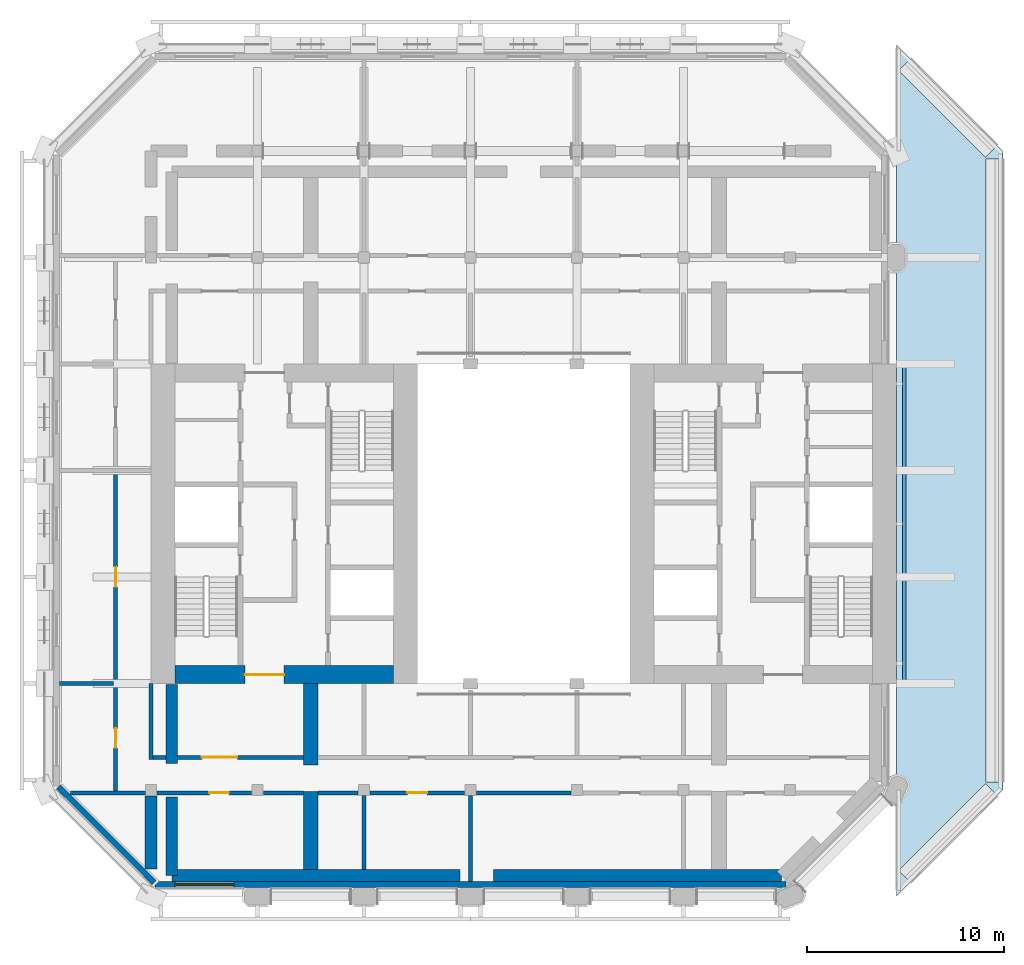
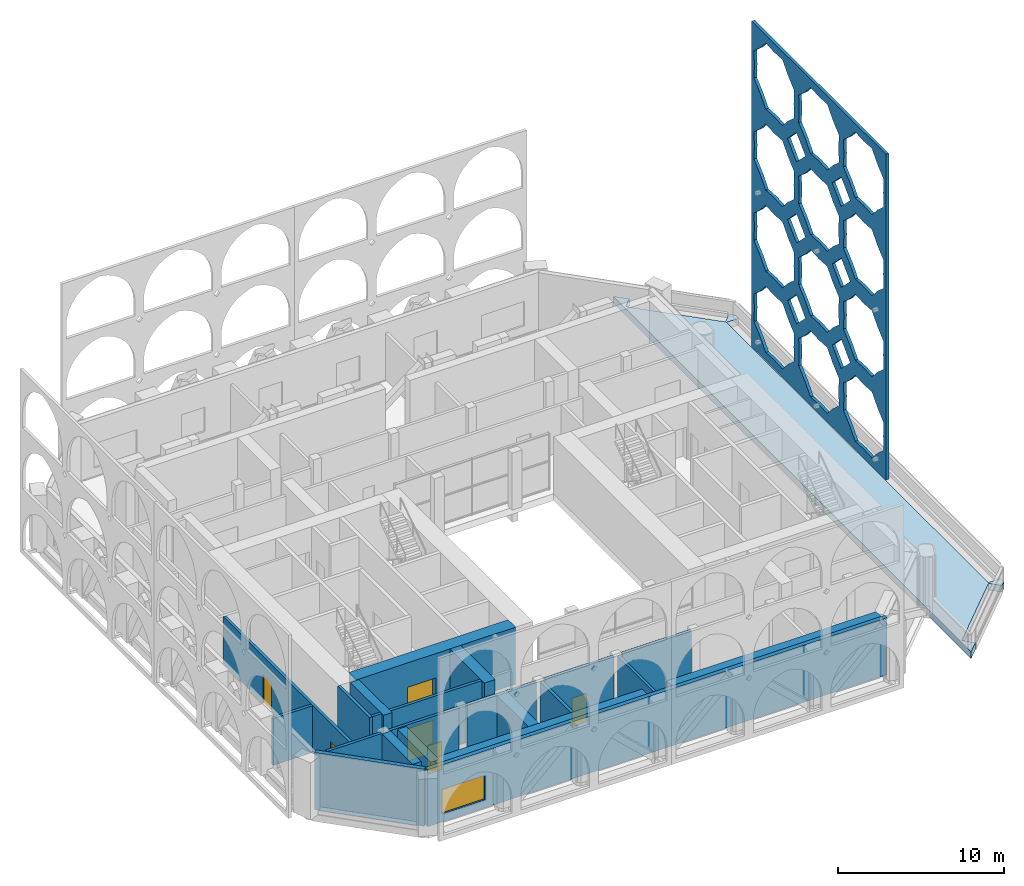
# One storey, part 6 of 16: 23 walls, 6 doors, 1 plate, 1 slab, 1 window, 7 openings.
"""IFC4 building model written with IfcOpenShell, lengths in metres."""

from ifc_helpers import new_model, si_unit, direction, frame, frame_2d, origin, place, context, subcontext, project, spatial, polyline, rectangle, outline, extrude, material, layer, layer_set, type_object, element, fill, save


model = new_model("IFC4")

# Units and contexts
model_context = context("Model", 3, precision=1e-05, world=origin(), true_north=direction((0.0, 1.0)))
body_context = subcontext(model_context, "Body", "Model", "MODEL_VIEW")
ifc_project = project(units=[si_unit("LENGTHUNIT", "METRE"), si_unit("AREAUNIT", "SQUARE_METRE"), si_unit("VOLUMEUNIT", "CUBIC_METRE"), si_unit("PLANEANGLEUNIT", "RADIAN"), si_unit("MASSUNIT", "GRAM", prefix="KILO")], contexts=[model_context])

# Site, building, storey
site_placement = place(None, origin())
site = spatial("IfcSite", under=ifc_project, at=site_placement, CompositionType="ELEMENT")
building_placement = place(site_placement, origin())
building = spatial("IfcBuilding", under=site, at=building_placement, Name="Tabaq Tower and Sports Hall", CompositionType="ELEMENT")
storey_placement = place(building_placement, frame((0.0, 0.0, 308.199951171875)))
storey = spatial("IfcBuildingStorey", under=building, at=storey_placement, Name="L77", CompositionType="ELEMENT", Elevation=308.199951171875)

# Slab
ifc_material_1 = material(Name="Concrete C40/50", Category="concrete")
ifc_layer_1 = layer(ifc_material_1, 0.5)
ifc_layer_set_1 = layer_set([ifc_layer_1], Name="PT TERRACE SLAB 500 C40/50")
slab_type = type_object("IfcSlabType", Name="PT TERRACE SLAB 500 C40/50", PredefinedType="FLOOR", material=ifc_layer_set_1)
slab_placement = place(storey_placement, frame((0.0, 0.0, -0.5)))
element("IfcSlab", 1, at=slab_placement, inside=storey, type_object=slab_type, Name="Terrace Slab L77", PredefinedType="FLOOR", context=body_context, shape_type="SweptSolid", body=[
    extrude(outline(polyline([(48.315673828125, 10.515625), (48.60009765625, 10.800048828125), (48.60009765625, 11.2021484375), (47.85009765625, 11.2021484375), (47.75, 11.2021484375), (47.75, 42.7978515625), (47.85009765625, 42.7978515625), (48.60009765625, 42.7978515625), (48.60009765625, 43.199951171875), (48.315673828125, 43.484375), (47.785400390625, 42.9541015625), (47.714599609375, 42.88330078125), (43.314453125, 47.283447265625), (43.38525390625, 47.354248046875), (43.91552734375, 47.884521484375), (43.199951171875, 48.60009765625), (43.199951171875, 43.199951171875), (43.199951171875, 10.800048828125), (43.199951171875, 5.39990234375), (43.91552734375, 6.115478515625), (43.314453125, 6.716552734375), (47.714599609375, 11.11669921875), (47.785400390625, 11.0458984375), (48.315673828125, 10.515625)])), origin(), (0.0, 0.0, 1.0), 0.5),
])

# Plate
ifc_material_2 = material(Name="White precast concrete C60/75 pierced screen", Category="concrete")
ifc_layer_2 = layer(ifc_material_2, 0.199951171875)
ifc_layer_set_2 = layer_set([ifc_layer_2], Name="White precast concrete C60/75 girih screen 200")
plate_type = type_object("IfcPlateType", Name="White precast concrete C60/75 girih screen 200", PredefinedType="USERDEFINED", material=ifc_layer_set_2)
plate_placement = place(storey_placement, frame((43.60009765625, 16.199951171875, 6.0), z_axis=(0.0, 0.0, 1.0), x_axis=(0.0, 1.0, 0.0)))
element("IfcPlate", 2, at=plate_placement, inside=storey, type_object=plate_type, Name="Girih screen CR E", ObjectType="SCREEN", PredefinedType="USERDEFINED", context=body_context, shape_type="SweptSolid", body=[
    extrude(outline(polyline([(0.0, 0.0), (16.199951171875, 0.0), (16.199951171875, 24.0), (0.0, 24.0), (0.0, 0.0)]), holes=[polyline([(5.134521484375, 4.0458984375), (4.376953125, 4.714599609375), (3.70849609375, 5.47216796875), (2.699951171875, 5.4091796875), (1.691650390625, 5.47216796875), (1.02294921875, 4.714599609375), (0.265380859375, 4.0458984375), (0.328369140625, 3.03759765625), (0.265380859375, 2.029052734375), (1.02294921875, 1.360595703125), (1.691650390625, 0.60302734375), (2.699951171875, 0.665771484375), (3.70849609375, 0.60302734375), (4.376953125, 1.360595703125), (5.134521484375, 2.029052734375), (5.07177734375, 3.03759765625), (5.134521484375, 4.0458984375)]), polyline([(5.134521484375, 10.02099609375), (4.376953125, 10.689697265625), (3.70849609375, 11.447265625), (2.699951171875, 11.38427734375), (1.691650390625, 11.447265625), (1.02294921875, 10.689697265625), (0.265380859375, 10.02099609375), (0.328369140625, 9.012451171875), (0.265380859375, 8.004150390625), (1.02294921875, 7.33544921875), (1.691650390625, 6.577880859375), (2.699951171875, 6.640869140625), (3.70849609375, 6.577880859375), (4.376953125, 7.33544921875), (5.134521484375, 8.004150390625), (5.07177734375, 9.012451171875), (5.134521484375, 10.02099609375)]), polyline([(5.134521484375, 15.99609375), (4.376953125, 16.66455078125), (3.70849609375, 17.422119140625), (2.699951171875, 17.359130859375), (1.691650390625, 17.422119140625), (1.02294921875, 16.66455078125), (0.265380859375, 15.99609375), (0.328369140625, 14.987548828125), (0.265380859375, 13.97900390625), (1.02294921875, 13.310546875), (1.691650390625, 12.552978515625), (2.699951171875, 12.615966796875), (3.70849609375, 12.552978515625), (4.376953125, 13.310546875), (5.134521484375, 13.97900390625), (5.07177734375, 14.987548828125), (5.134521484375, 15.99609375)]), polyline([(5.134521484375, 21.970947265625), (4.376953125, 22.6396484375), (3.70849609375, 23.397216796875), (2.699951171875, 23.334228515625), (1.691650390625, 23.397216796875), (1.02294921875, 22.6396484375), (0.265380859375, 21.970947265625), (0.328369140625, 20.962646484375), (0.265380859375, 19.9541015625), (1.02294921875, 19.285400390625), (1.691650390625, 18.52783203125), (2.699951171875, 18.5908203125), (3.70849609375, 18.52783203125), (4.376953125, 19.285400390625), (5.134521484375, 19.9541015625), (5.07177734375, 20.962646484375), (5.134521484375, 21.970947265625)]), polyline([(10.53466796875, 4.0458984375), (9.777099609375, 4.714599609375), (9.1083984375, 5.47216796875), (8.10009765625, 5.4091796875), (7.091552734375, 5.47216796875), (6.4228515625, 4.714599609375), (5.665283203125, 4.0458984375), (5.728271484375, 3.03759765625), (5.665283203125, 2.029052734375), (6.4228515625, 1.360595703125), (7.091552734375, 0.60302734375), (8.10009765625, 0.665771484375), (9.1083984375, 0.60302734375), (9.777099609375, 1.360595703125), (10.53466796875, 2.029052734375), (10.4716796875, 3.03759765625), (10.53466796875, 4.0458984375)]), polyline([(10.53466796875, 10.02099609375), (9.777099609375, 10.689697265625), (9.1083984375, 11.447265625), (8.10009765625, 11.38427734375), (7.091552734375, 11.447265625), (6.4228515625, 10.689697265625), (5.665283203125, 10.02099609375), (5.728271484375, 9.012451171875), (5.665283203125, 8.004150390625), (6.4228515625, 7.33544921875), (7.091552734375, 6.577880859375), (8.10009765625, 6.640869140625), (9.1083984375, 6.577880859375), (9.777099609375, 7.33544921875), (10.53466796875, 8.004150390625), (10.4716796875, 9.012451171875), (10.53466796875, 10.02099609375)]), polyline([(10.53466796875, 15.99609375), (9.777099609375, 16.66455078125), (9.1083984375, 17.422119140625), (8.10009765625, 17.359130859375), (7.091552734375, 17.422119140625), (6.4228515625, 16.66455078125), (5.665283203125, 15.99609375), (5.728271484375, 14.987548828125), (5.665283203125, 13.97900390625), (6.4228515625, 13.310546875), (7.091552734375, 12.552978515625), (8.10009765625, 12.615966796875), (9.1083984375, 12.552978515625), (9.777099609375, 13.310546875), (10.53466796875, 13.97900390625), (10.4716796875, 14.987548828125), (10.53466796875, 15.99609375)]), polyline([(10.53466796875, 21.970947265625), (9.777099609375, 22.6396484375), (9.1083984375, 23.397216796875), (8.10009765625, 23.334228515625), (7.091552734375, 23.397216796875), (6.4228515625, 22.6396484375), (5.665283203125, 21.970947265625), (5.728271484375, 20.962646484375), (5.665283203125, 19.9541015625), (6.4228515625, 19.285400390625), (7.091552734375, 18.52783203125), (8.10009765625, 18.5908203125), (9.1083984375, 18.52783203125), (9.777099609375, 19.285400390625), (10.53466796875, 19.9541015625), (10.4716796875, 20.962646484375), (10.53466796875, 21.970947265625)]), polyline([(15.9345703125, 4.0458984375), (15.177001953125, 4.714599609375), (14.508544921875, 5.47216796875), (13.5, 5.4091796875), (12.491455078125, 5.47216796875), (11.822998046875, 4.714599609375), (11.0654296875, 4.0458984375), (11.12841796875, 3.03759765625), (11.0654296875, 2.029052734375), (11.822998046875, 1.360595703125), (12.491455078125, 0.60302734375), (13.5, 0.665771484375), (14.508544921875, 0.60302734375), (15.177001953125, 1.360595703125), (15.9345703125, 2.029052734375), (15.87158203125, 3.03759765625), (15.9345703125, 4.0458984375)]), polyline([(15.9345703125, 10.02099609375), (15.177001953125, 10.689697265625), (14.508544921875, 11.447265625), (13.5, 11.38427734375), (12.491455078125, 11.447265625), (11.822998046875, 10.689697265625), (11.0654296875, 10.02099609375), (11.12841796875, 9.012451171875), (11.0654296875, 8.004150390625), (11.822998046875, 7.33544921875), (12.491455078125, 6.577880859375), (13.5, 6.640869140625), (14.508544921875, 6.577880859375), (15.177001953125, 7.33544921875), (15.9345703125, 8.004150390625), (15.87158203125, 9.012451171875), (15.9345703125, 10.02099609375)]), polyline([(15.9345703125, 15.99609375), (15.177001953125, 16.66455078125), (14.508544921875, 17.422119140625), (13.5, 17.359130859375), (12.491455078125, 17.422119140625), (11.822998046875, 16.66455078125), (11.0654296875, 15.99609375), (11.12841796875, 14.987548828125), (11.0654296875, 13.97900390625), (11.822998046875, 13.310546875), (12.491455078125, 12.552978515625), (13.5, 12.615966796875), (14.508544921875, 12.552978515625), (15.177001953125, 13.310546875), (15.9345703125, 13.97900390625), (15.87158203125, 14.987548828125), (15.9345703125, 15.99609375)]), polyline([(15.9345703125, 21.970947265625), (15.177001953125, 22.6396484375), (14.508544921875, 23.397216796875), (13.5, 23.334228515625), (12.491455078125, 23.397216796875), (11.822998046875, 22.6396484375), (11.0654296875, 21.970947265625), (11.12841796875, 20.962646484375), (11.0654296875, 19.9541015625), (11.822998046875, 19.285400390625), (12.491455078125, 18.52783203125), (13.5, 18.5908203125), (14.508544921875, 18.52783203125), (15.177001953125, 19.285400390625), (15.9345703125, 19.9541015625), (15.87158203125, 20.962646484375), (15.9345703125, 21.970947265625)]), polyline([(6.47998046875, 6.025146484375), (5.39990234375, 7.10498046875), (4.320068359375, 6.025146484375), (5.39990234375, 4.945068359375), (6.47998046875, 6.025146484375)]), polyline([(6.47998046875, 12.0), (5.39990234375, 13.080078125), (4.320068359375, 12.0), (5.39990234375, 10.920166015625), (6.47998046875, 12.0)]), polyline([(6.47998046875, 17.97509765625), (5.39990234375, 19.054931640625), (4.320068359375, 17.97509765625), (5.39990234375, 16.89501953125), (6.47998046875, 17.97509765625)]), polyline([(11.8798828125, 6.025146484375), (10.800048828125, 7.10498046875), (9.719970703125, 6.025146484375), (10.800048828125, 4.945068359375), (11.8798828125, 6.025146484375)]), polyline([(11.8798828125, 12.0), (10.800048828125, 13.080078125), (9.719970703125, 12.0), (10.800048828125, 10.920166015625), (11.8798828125, 12.0)]), polyline([(11.8798828125, 17.97509765625), (10.800048828125, 19.054931640625), (9.719970703125, 17.97509765625), (10.800048828125, 16.89501953125), (11.8798828125, 17.97509765625)])]), frame((0.0, 0.10009765625, 0.0), z_axis=(0.0, -1.0, 0.0), x_axis=(1.0, 0.0, 0.0)), (0.0, 0.0, 1.0), 0.199951171875),
])

# Wall, opening, door
ifc_material_3 = material(Name="Concrete C40/50", Category="concrete")
ifc_layer_3 = layer(ifc_material_3, 0.89990234375)
ifc_layer_set_3 = layer_set([ifc_layer_3], Name="Core wall 900 Concrete C40/50")
wall_type_1 = type_object("IfcWallType", Name="Core wall 900 Concrete C40/50", PredefinedType="SOLIDWALL", material=ifc_layer_set_3)
wall_1_placement = place(storey_placement, frame((17.699951171875, 16.64990234375, 0.0), z_axis=(0.0, 0.0, 1.0), x_axis=(-1.0, 0.0, 0.0)))
wall_1 = element("IfcWall", 3, at=wall_1_placement, inside=storey, type_object=wall_type_1, Name="Core wall W L77", PredefinedType="SOLIDWALL", context=body_context, shape_type="SweptSolid", body=[
    extrude(rectangle(XDim=11.099853515625, YDim=0.89990234375, at=frame_2d((5.5498046875, 0.0))), origin(), (0.0, 0.0, 1.0), 4.199951171875),
])
opening_1_placement = place(wall_1_placement, frame((5.550048828125, 0.0, 0.0)))
opening_1 = element("IfcOpeningElement", 4, at=opening_1_placement, cuts=wall_1, Name="Opening PD-WL77-01", PredefinedType="OPENING", context=body_context, shape_type="SweptSolid", body=[
    extrude(rectangle(XDim=2.0, YDim=2.39990234375, at=frame_2d((1.0, 1.199951171875))), frame((0.0, 0.449951171875, 0.0), z_axis=(0.0, -1.0, 0.0), x_axis=(1.0, 0.0, 0.0)), (0.0, 0.0, 1.0), 0.89990234375),
])
ifc_material_4 = material(Name="Steel fire door", Category="steel")
door_type_1 = type_object("IfcDoorType", Name="Core entrance door 2000", OperationType="DOUBLE_DOOR_SINGLE_SWING", PredefinedType="DOOR", material=ifc_material_4)
door_1_placement = place(opening_1_placement, origin())
door_1 = element("IfcDoor", 5, at=door_1_placement, inside=storey, type_object=door_type_1, Name="Core entrance south W L77", OperationType="DOUBLE_DOOR_SINGLE_SWING", OverallHeight=2.39990234375, OverallWidth=2.0, PredefinedType="DOOR", context=body_context, shape_type="SweptSolid", body=[
    extrude(rectangle(XDim=2.0, YDim=2.39990234375, at=frame_2d((1.0, 1.199951171875))), frame((0.0, 0.02490234375, 0.0), z_axis=(0.0, -1.0, 0.0), x_axis=(1.0, 0.0, 0.0)), (0.0, 0.0, 1.0), 0.050048828125),
])
fill(opening_1, door_1)

# Walls
ifc_material_5 = material(Name="Blockwork", Category="masonry")
ifc_layer_4 = layer(ifc_material_5, 0.199951171875)
ifc_layer_set_4 = layer_set([ifc_layer_4], Name="Fire compartment wall 200 Blockwork")
wall_type_2 = type_object("IfcWallType", Name="Fire compartment wall 200 Blockwork", PredefinedType="PARTITIONING", material=ifc_layer_set_4)
wall_2_placement = place(storey_placement, frame((3.5, 16.199951171875, 0.0), z_axis=(0.0, 0.0, 1.0), x_axis=(-1.0, 0.0, 0.0)))
element("IfcWall", 6, at=wall_2_placement, inside=storey, type_object=wall_type_2, Name="Compartment wall L77", PredefinedType="PARTITIONING", context=body_context, shape_type="SweptSolid", body=[
    extrude(rectangle(XDim=2.7490234375, YDim=0.199951171875, at=frame_2d((1.37451171875, 0.0))), origin(), (0.0, 0.0, 1.0), 3.449951171875),
])
wall_3_placement = place(storey_placement, frame((21.60009765625, 6.15087890625, 0.0), z_axis=(0.0, 0.0, 1.0), x_axis=(0.0, 1.0, 0.0)))
element("IfcWall", 7, at=wall_3_placement, inside=storey, type_object=wall_type_2, Name="Compartment wall L77", PredefinedType="PARTITIONING", context=body_context, shape_type="SweptSolid", body=[
    extrude(rectangle(XDim=4.35400390625, YDim=0.199951171875, at=frame_2d((2.177001953125, 0.0))), origin(), (0.0, 0.0, 1.0), 4.199951171875),
])
wall_4_placement = place(storey_placement, frame((21.89501953125, 10.64990234375, 0.0), z_axis=(0.0, 0.0, 1.0), x_axis=(1.0, 0.0, 0.0)))
element("IfcWall", 8, at=wall_4_placement, inside=storey, type_object=wall_type_2, Name="Compartment wall L77", PredefinedType="PARTITIONING", context=body_context, shape_type="SweptSolid", body=[
    extrude(rectangle(XDim=4.81005859375, YDim=0.199951171875, at=frame_2d((2.405029296875, 0.0))), origin(), (0.0, 0.0, 1.0), 4.199951171875),
])
wall_5_placement = place(storey_placement, frame((16.199951171875, 6.7509765625, 0.0), z_axis=(0.0, 0.0, 1.0), x_axis=(0.0, 1.0, 0.0)))
element("IfcWall", 9, at=wall_5_placement, inside=storey, type_object=wall_type_2, Name="Compartment wall L77", PredefinedType="PARTITIONING", context=body_context, shape_type="SweptSolid", body=[
    extrude(rectangle(XDim=3.75390625, YDim=0.199951171875, at=frame_2d((1.876953125, 0.0))), origin(), (0.0, 0.0, 1.0), 4.199951171875),
])

# Wall, opening, door
wall_6_placement = place(storey_placement, frame((16.4951171875, 10.64990234375, 0.0), z_axis=(0.0, 0.0, 1.0), x_axis=(1.0, 0.0, 0.0)))
wall_6 = element("IfcWall", 10, at=wall_6_placement, inside=storey, type_object=wall_type_2, Name="Compartment wall L77", PredefinedType="PARTITIONING", context=body_context, shape_type="SweptSolid", body=[
    extrude(rectangle(XDim=4.809814453125, YDim=0.199951171875, at=frame_2d((2.40478515625, 0.0))), origin(), (0.0, 0.0, 1.0), 4.199951171875),
])
opening_2_placement = place(wall_6_placement, frame((1.905029296875, 0.0, 0.0)))
opening_2 = element("IfcOpeningElement", 11, at=opening_2_placement, cuts=wall_6, Name="Opening L77-011", PredefinedType="OPENING", context=body_context, shape_type="SweptSolid", body=[
    extrude(rectangle(XDim=1.0, YDim=2.10009765625, at=frame_2d((0.5, 1.050048828125))), frame((0.0, 0.10009765625, 0.0), z_axis=(0.0, -1.0, 0.0), x_axis=(1.0, 0.0, 0.0)), (0.0, 0.0, 1.0), 0.199951171875),
])
ifc_material_6 = material(Name="Steel fire door", Category="steel")
door_type_2 = type_object("IfcDoorType", Name="Plant room door 1000 left hand", OperationType="SINGLE_SWING_LEFT", PredefinedType="DOOR", material=ifc_material_6)
door_2_placement = place(opening_2_placement, origin())
door_2 = element("IfcDoor", 12, at=door_2_placement, inside=storey, type_object=door_type_2, Name="Plant room door L77-011", OperationType="SINGLE_SWING_LEFT", OverallHeight=2.10009765625, OverallWidth=1.0, PredefinedType="DOOR", context=body_context, shape_type="SweptSolid", body=[
    extrude(rectangle(XDim=1.0, YDim=2.10009765625, at=frame_2d((0.5, 1.050048828125))), frame((0.0, 0.02490234375, 0.0), z_axis=(0.0, -1.0, 0.0), x_axis=(1.0, 0.0, 0.0)), (0.0, 0.0, 1.0), 0.050048828125),
])
fill(opening_2, door_2)

# Wall
wall_7_placement = place(storey_placement, frame((1.31201171875, 10.64990234375, 0.0), z_axis=(0.0, 0.0, 1.0), x_axis=(1.0, 0.0, 0.0)))
element("IfcWall", 13, at=wall_7_placement, inside=storey, type_object=wall_type_2, Name="Compartment wall L77", PredefinedType="PARTITIONING", context=body_context, shape_type="SweptSolid", body=[
    extrude(rectangle(XDim=3.79296875, YDim=0.199951171875, at=frame_2d((1.896484375, 0.0))), origin(), (0.0, 0.0, 1.0), 4.199951171875),
])

# Wall, opening, door
wall_8_placement = place(storey_placement, frame((5.695068359375, 10.64990234375, 0.0), z_axis=(0.0, 0.0, 1.0), x_axis=(1.0, 0.0, 0.0)))
wall_8 = element("IfcWall", 14, at=wall_8_placement, inside=storey, type_object=wall_type_2, Name="Compartment wall L77", PredefinedType="PARTITIONING", context=body_context, shape_type="SweptSolid", body=[
    extrude(rectangle(XDim=4.809814453125, YDim=0.199951171875, at=frame_2d((2.40478515625, 0.0))), origin(), (0.0, 0.0, 1.0), 4.199951171875),
])
opening_3_placement = place(wall_8_placement, frame((2.655029296875, 0.0, 0.0)))
opening_3 = element("IfcOpeningElement", 15, at=opening_3_placement, cuts=wall_8, Name="Opening L77-012", PredefinedType="OPENING", context=body_context, shape_type="SweptSolid", body=[
    extrude(rectangle(XDim=1.0, YDim=2.10009765625, at=frame_2d((0.5, 1.050048828125))), frame((0.0, 0.10009765625, 0.0), z_axis=(0.0, -1.0, 0.0), x_axis=(1.0, 0.0, 0.0)), (0.0, 0.0, 1.0), 0.199951171875),
])
ifc_material_7 = material(Name="Steel fire door", Category="steel")
door_type_3 = type_object("IfcDoorType", Name="Plant room door 1000 right hand", OperationType="SINGLE_SWING_RIGHT", PredefinedType="DOOR", material=ifc_material_7)
door_3_placement = place(opening_3_placement, origin())
door_3 = element("IfcDoor", 16, at=door_3_placement, inside=storey, type_object=door_type_3, Name="Plant room door L77-012", OperationType="SINGLE_SWING_RIGHT", OverallHeight=2.10009765625, OverallWidth=1.0, PredefinedType="DOOR", context=body_context, shape_type="SweptSolid", body=[
    extrude(rectangle(XDim=1.0, YDim=2.10009765625, at=frame_2d((0.5, 1.050048828125))), frame((0.0, 0.02490234375, 0.0), z_axis=(0.0, -1.0, 0.0), x_axis=(1.0, 0.0, 0.0)), (0.0, 0.0, 1.0), 0.050048828125),
])
fill(opening_3, door_3)

# Walls
for number, where, z_axis, x_axis, name in (
    (17, (11.094970703125, 10.64990234375, 0.0), (0.0, 0.0, 1.0), (1.0, 0.0, 0.0), "Compartment wall L77"),
    (18, (13.8759765625, 10.64990234375, 0.0), (0.0, 0.0, 1.0), (1.0, 0.0, 0.0), "Compartment wall L77"),
):
    element("IfcWall", number, at=place(storey_placement, frame(where, z_axis=z_axis, x_axis=x_axis)), inside=storey, type_object=wall_type_2, Name=name, PredefinedType="PARTITIONING", context=body_context, shape_type="SweptSolid", body=[
        extrude(rectangle(XDim=2.029052734375, YDim=0.199951171875, at=frame_2d((1.0146484375, 0.0))), origin(), (0.0, 0.0, 1.0), 4.199951171875),
    ])

# Wall, openings, doors
wall_9_placement = place(storey_placement, frame((3.60009765625, 10.75, 0.0), z_axis=(0.0, 0.0, 1.0), x_axis=(0.0, 1.0, 0.0)))
wall_9 = element("IfcWall", 19, at=wall_9_placement, inside=storey, type_object=wall_type_2, Name="Compartment wall L77", PredefinedType="PARTITIONING", context=body_context, shape_type="SweptSolid", body=[
    extrude(rectangle(XDim=16.14990234375, YDim=0.199951171875, at=frame_2d((8.074951171875, 0.0))), origin(), (0.0, 0.0, 1.0), 3.449951171875),
])
opening_4_placement = place(wall_9_placement, frame((2.175048828125, 0.0, 0.0)))
opening_4 = element("IfcOpeningElement", 20, at=opening_4_placement, cuts=wall_9, Name="Opening L77-008", PredefinedType="OPENING", context=body_context, shape_type="SweptSolid", body=[
    extrude(rectangle(XDim=1.0, YDim=2.10009765625, at=frame_2d((0.5, 1.050048828125))), frame((0.0, 0.10009765625, 0.0), z_axis=(0.0, -1.0, 0.0), x_axis=(1.0, 0.0, 0.0)), (0.0, 0.0, 1.0), 0.199951171875),
])
opening_5_placement = place(wall_9_placement, frame((10.35009765625, 0.0, 0.0)))
opening_5 = element("IfcOpeningElement", 21, at=opening_5_placement, cuts=wall_9, Name="Opening L77-016", PredefinedType="OPENING", context=body_context, shape_type="SweptSolid", body=[
    extrude(rectangle(XDim=1.0, YDim=2.10009765625, at=frame_2d((0.5, 1.050048828125))), frame((0.0, 0.10009765625, 0.0), z_axis=(0.0, -1.0, 0.0), x_axis=(1.0, 0.0, 0.0)), (0.0, 0.0, 1.0), 0.199951171875),
])
door_4_placement = place(opening_4_placement, origin())
door_4 = element("IfcDoor", 22, at=door_4_placement, inside=storey, type_object=door_type_2, Name="Plant room door L77-008", OperationType="SINGLE_SWING_LEFT", OverallHeight=2.10009765625, OverallWidth=1.0, PredefinedType="DOOR", context=body_context, shape_type="SweptSolid", body=[
    extrude(rectangle(XDim=1.0, YDim=2.10009765625, at=frame_2d((0.5, 1.050048828125))), frame((0.0, 0.02490234375, 0.0), z_axis=(0.0, -1.0, 0.0), x_axis=(1.0, 0.0, 0.0)), (0.0, 0.0, 1.0), 0.050048828125),
])
fill(opening_4, door_4)
door_5_placement = place(opening_5_placement, origin())
door_5 = element("IfcDoor", 23, at=door_5_placement, inside=storey, type_object=door_type_3, Name="Plant room door L77-016", OperationType="SINGLE_SWING_RIGHT", OverallHeight=2.10009765625, OverallWidth=1.0, PredefinedType="DOOR", context=body_context, shape_type="SweptSolid", body=[
    extrude(rectangle(XDim=1.0, YDim=2.10009765625, at=frame_2d((0.5, 1.050048828125))), frame((0.0, 0.02490234375, 0.0), z_axis=(0.0, -1.0, 0.0), x_axis=(1.0, 0.0, 0.0)), (0.0, 0.0, 1.0), 0.050048828125),
])
fill(opening_5, door_5)

# Walls
wall_10_placement = place(storey_placement, frame((5.39990234375, 16.199951171875, 0.0), z_axis=(0.0, 0.0, 1.0), x_axis=(0.0, -1.0, 0.0)))
element("IfcWall", 24, at=wall_10_placement, inside=storey, type_object=wall_type_2, Name="Compartment wall L77", PredefinedType="PARTITIONING", context=body_context, shape_type="SweptSolid", body=[
    extrude(rectangle(XDim=3.849853515625, YDim=0.199951171875, at=frame_2d((1.9248046875, 0.0))), origin(), (0.0, 0.0, 1.0), 4.199951171875),
])
wall_11_placement = place(storey_placement, frame((5.5, 12.449951171875, 0.0), z_axis=(0.0, 0.0, 1.0), x_axis=(1.0, 0.0, 0.0)))
element("IfcWall", 25, at=wall_11_placement, inside=storey, type_object=wall_type_2, Name="Compartment wall L77", PredefinedType="PARTITIONING", context=body_context, shape_type="SweptSolid", body=[
    extrude(rectangle(XDim=0.64892578125, YDim=0.199951171875, at=frame_2d((0.324462890625, 0.0))), origin(), (0.0, 0.0, 1.0), 4.199951171875),
])

# Wall, opening, door
wall_12_placement = place(storey_placement, frame((6.7509765625, 12.449951171875, 0.0), z_axis=(0.0, 0.0, 1.0), x_axis=(1.0, 0.0, 0.0)))
wall_12 = element("IfcWall", 26, at=wall_12_placement, inside=storey, type_object=wall_type_2, Name="Compartment wall L77", PredefinedType="PARTITIONING", context=body_context, shape_type="SweptSolid", body=[
    extrude(rectangle(XDim=6.373046875, YDim=0.199951171875, at=frame_2d((3.1865234375, 0.0))), origin(), (0.0, 0.0, 1.0), 4.199951171875),
])
opening_6_placement = place(wall_12_placement, frame((1.22412109375, 0.0, 0.0)))
opening_6 = element("IfcOpeningElement", 27, at=opening_6_placement, cuts=wall_12, Name="Opening L77-020", PredefinedType="OPENING", context=body_context, shape_type="SweptSolid", body=[
    extrude(rectangle(XDim=1.800048828125, YDim=2.39990234375, at=frame_2d((0.89990234375, 1.199951171875))), frame((0.0, 0.10009765625, 0.0), z_axis=(0.0, -1.0, 0.0), x_axis=(1.0, 0.0, 0.0)), (0.0, 0.0, 1.0), 0.199951171875),
])
ifc_material_8 = material(Name="Steel fire door", Category="steel")
door_type_4 = type_object("IfcDoorType", Name="Plant room door 1800", OperationType="DOUBLE_DOOR_SINGLE_SWING", PredefinedType="DOOR", material=ifc_material_8)
door_6_placement = place(opening_6_placement, origin())
door_6 = element("IfcDoor", 28, at=door_6_placement, inside=storey, type_object=door_type_4, Name="Plant room door L77-020", OperationType="DOUBLE_DOOR_SINGLE_SWING", OverallHeight=2.39990234375, OverallWidth=1.800048828125, PredefinedType="DOOR", context=body_context, shape_type="SweptSolid", body=[
    extrude(rectangle(XDim=1.800048828125, YDim=2.39990234375, at=frame_2d((0.89990234375, 1.199951171875))), frame((0.0, 0.02490234375, 0.0), z_axis=(0.0, -1.0, 0.0), x_axis=(1.0, 0.0, 0.0)), (0.0, 0.0, 1.0), 0.050048828125),
])
fill(opening_6, door_6)

# Walls
ifc_material_9 = material(Name="Concrete C40/50", Category="concrete")
ifc_layer_5 = layer(ifc_material_9, 0.60009765625)
ifc_layer_set_5 = layer_set([ifc_layer_5], Name="RC BELT WALL 600 C40/50")
wall_type_3 = type_object("IfcWallType", Name="RC BELT WALL 600 C40/50", PredefinedType="SHEAR", material=ifc_layer_set_5)
for number, where, z_axis, x_axis, name in (
    (29, (6.449951171875, 6.449951171875, 0.0), (0.0, 0.0, 1.0), (0.0, 1.0, 0.0), "Belt Wall L77 1"),
    (30, (6.449951171875, 12.14990234375, 0.0), (0.0, 0.0, 1.0), (0.0, 1.0, 0.0), "Belt Wall L77 2"),
):
    element("IfcWall", number, at=place(storey_placement, frame(where, z_axis=z_axis, x_axis=x_axis)), inside=storey, type_object=wall_type_3, Name=name, PredefinedType="SHEAR", context=body_context, shape_type="SweptSolid", body=[
        extrude(rectangle(XDim=4.0, YDim=0.60009765625, at=frame_2d((2.0, 0.0))), origin(), (0.0, 0.0, 1.0), 4.199951171875),
    ])
wall_13_placement = place(storey_placement, frame((37.364990234375, 6.449951171875, 0.0), z_axis=(0.0, 0.0, 1.0), x_axis=(-1.0, 0.0, 0.0)))
element("IfcWall", 31, at=wall_13_placement, inside=storey, type_object=wall_type_3, Name="Belt Wall L77 12", PredefinedType="SHEAR", context=body_context, shape_type="SweptSolid", body=[
    extrude(rectangle(XDim=14.607421875, YDim=0.60009765625, at=frame_2d((7.3037109375, 0.0))), origin(), (0.0, 0.0, 1.0), 4.199951171875),
])
wall_14_placement = place(storey_placement, frame((21.0576171875, 6.449951171875, 0.0), z_axis=(0.0, 0.0, 1.0), x_axis=(-1.0, 0.0, 0.0)))
element("IfcWall", 32, at=wall_14_placement, inside=storey, type_object=wall_type_3, Name="Belt Wall L77 13", PredefinedType="SHEAR", context=body_context, shape_type="SweptSolid", body=[
    extrude(rectangle(XDim=14.607666015625, YDim=0.60009765625, at=frame_2d((7.3037109375, 0.0))), origin(), (0.0, 0.0, 1.0), 4.199951171875),
])
ifc_material_10 = material(Name="Concrete C40/50", Category="concrete")
ifc_layer_6 = layer(ifc_material_10, 0.75)
ifc_layer_set_6 = layer_set([ifc_layer_6], Name="RC OUTRIGGER WALL 750 C40/50")
wall_type_4 = type_object("IfcWallType", Name="RC OUTRIGGER WALL 750 C40/50", PredefinedType="SHEAR", material=ifc_layer_set_6)
wall_15_placement = place(storey_placement, frame((13.5, 6.75, 0.0), z_axis=(0.0, 0.0, 1.0), x_axis=(0.0, 1.0, 0.0)))
element("IfcWall", 33, at=wall_15_placement, inside=storey, type_object=wall_type_4, Name="Outrigger Wall L77 1", PredefinedType="SHEAR", context=body_context, shape_type="SweptSolid", body=[
    extrude(rectangle(XDim=3.97509765625, YDim=0.75, at=frame_2d((1.987548828125, 0.0))), origin(), (0.0, 0.0, 1.0), 4.199951171875),
])
wall_16_placement = place(storey_placement, frame((13.5, 12.050048828125, 0.0), z_axis=(0.0, 0.0, 1.0), x_axis=(0.0, 1.0, 0.0)))
element("IfcWall", 34, at=wall_16_placement, inside=storey, type_object=wall_type_4, Name="Outrigger Wall L77 2", PredefinedType="SHEAR", context=body_context, shape_type="SweptSolid", body=[
    extrude(rectangle(XDim=4.14990234375, YDim=0.75, at=frame_2d((2.074951171875, 0.0))), origin(), (0.0, 0.0, 1.0), 4.199951171875),
])
ifc_material_11 = material(Name="Concrete C40/50", Category="concrete")
ifc_layer_7 = layer(ifc_material_11, 0.60009765625)
ifc_layer_set_7 = layer_set([ifc_layer_7], Name="RC TRANSFER WALL 600 C40/50")
wall_type_5 = type_object("IfcWallType", Name="RC TRANSFER WALL 600 C40/50", PredefinedType="SHEAR", material=ifc_layer_set_7)
wall_17_placement = place(storey_placement, frame((5.39990234375, 6.800048828125, 0.0), z_axis=(0.0, 0.0, 1.0), x_axis=(0.0, 1.0, 0.0)))
element("IfcWall", 35, at=wall_17_placement, inside=storey, type_object=wall_type_5, Name="Transfer Wall L77 West 1", PredefinedType="SHEAR", context=body_context, shape_type="SweptSolid", body=[
    extrude(rectangle(XDim=3.699951171875, YDim=0.60009765625, at=frame_2d((1.85009765625, 0.0))), origin(), (0.0, 0.0, 1.0), 4.199951171875),
])

# Wall, opening, window
ifc_material_12 = material(Name="White precast concrete C60/75", Category="concrete")
ifc_layer_8 = layer(ifc_material_12, 0.300048828125)
ifc_layer_set_8 = layer_set([ifc_layer_8], Name="White precast concrete C60/75 external wall 300")
wall_type_6 = type_object("IfcWallType", Name="White precast concrete C60/75 external wall 300", PredefinedType="SOLIDWALL", material=ifc_layer_set_8)
wall_18_placement = place(storey_placement, frame((5.58642578125, 6.0, 0.0), z_axis=(0.0, 0.0, 1.0), x_axis=(1.0, 0.0, 0.0)))
wall_18 = element("IfcWall", 36, at=wall_18_placement, inside=storey, type_object=wall_type_6, Name="External Wall L77 S", PredefinedType="SOLIDWALL", context=body_context, shape_type="SweptSolid", body=[
    extrude(outline(polyline([(0.0, 0.0), (32.027099609375, 0.0), (32.027099609375, 4.199951171875), (31.43408203125, 4.199951171875), (30.841064453125, 4.199951171875), (30.247802734375, 4.199951171875), (29.65478515625, 4.199951171875), (29.061767578125, 4.199951171875), (28.46875, 4.199951171875), (27.87548828125, 4.199951171875), (27.282470703125, 4.199951171875), (26.689453125, 4.199951171875), (26.09619140625, 4.199951171875), (25.503173828125, 4.199951171875), (24.91015625, 4.199951171875), (24.31689453125, 4.199951171875), (23.723876953125, 4.199951171875), (23.130859375, 4.199951171875), (22.53759765625, 4.199951171875), (21.944580078125, 4.199951171875), (21.3515625, 4.199951171875), (20.75830078125, 4.199951171875), (20.165283203125, 4.199951171875), (19.572265625, 4.199951171875), (18.97900390625, 4.199951171875), (18.385986328125, 4.199951171875), (17.79296875, 4.199951171875), (17.19970703125, 4.199951171875), (16.606689453125, 4.199951171875), (16.013671875, 4.199951171875), (15.42041015625, 4.199951171875), (14.827392578125, 4.199951171875), (14.234375, 4.199951171875), (13.64111328125, 4.199951171875), (13.048095703125, 4.199951171875), (12.455078125, 4.199951171875), (11.86181640625, 4.199951171875), (11.268798828125, 4.199951171875), (10.67578125, 4.199951171875), (10.08251953125, 4.199951171875), (9.489501953125, 4.199951171875), (8.896484375, 4.199951171875), (8.303466796875, 4.199951171875), (7.710205078125, 4.199951171875), (7.1171875, 4.199951171875), (6.524169921875, 4.199951171875), (5.930908203125, 4.199951171875), (5.337890625, 4.199951171875), (4.744873046875, 4.199951171875), (4.151611328125, 4.199951171875), (3.55859375, 4.199951171875), (2.965576171875, 4.199951171875), (2.372314453125, 4.199951171875), (1.779296875, 4.199951171875), (1.186279296875, 4.199951171875), (0.593017578125, 4.199951171875), (0.0, 4.199951171875), (0.0, 0.0)])), frame((0.0, 0.14990234375, 0.0), z_axis=(0.0, -1.0, 0.0), x_axis=(1.0, 0.0, 0.0)), (0.0, 0.0, 1.0), 0.300048828125),
])
opening_7_placement = place(wall_18_placement, frame((1.013671875, 0.0, 0.60009765625)))
opening_7 = element("IfcOpeningElement", 37, at=opening_7_placement, cuts=wall_18, Name="Opening LV1", PredefinedType="OPENING", context=body_context, shape_type="SweptSolid", body=[
    extrude(rectangle(XDim=3.0, YDim=1.800048828125, at=frame_2d((1.5, 0.89990234375))), frame((0.0, 0.16015625, 0.0), z_axis=(0.0, -1.0, 0.0), x_axis=(1.0, 0.0, 0.0)), (0.0, 0.0, 1.0), 0.320068359375),
])
ifc_material_13 = material(Name="Aluminium alloy 6063-T6 louvre blades", Category="aluminium")
window_type = type_object("IfcWindowType", Name="Plant louvre LV1", PartitioningType="SINGLE_PANEL", PredefinedType="WINDOW", material=ifc_material_13)
window_placement = place(opening_7_placement, origin())
window = element("IfcWindow", 38, at=window_placement, inside=storey, type_object=window_type, Name="Plant louvre L77", OverallHeight=1.800048828125, OverallWidth=3.0, PartitioningType="SINGLE_PANEL", PredefinedType="WINDOW", context=body_context, shape_type="SweptSolid", body=[
    extrude(rectangle(XDim=3.0, YDim=1.800048828125, at=frame_2d((1.5, 0.89990234375))), frame((0.0, 0.030029296875, 0.0), z_axis=(0.0, -1.0, 0.0), x_axis=(1.0, 0.0, 0.0)), (0.0, 0.0, 1.0), 0.06005859375),
])
fill(opening_7, window)

# Wall
wall_19_placement = place(storey_placement, frame((0.698974609375, 10.949462890625, 0.0), z_axis=(0.0, 0.0, 1.0), x_axis=(0.707106781187, -0.707106781187, 0.0)))
element("IfcWall", 39, at=wall_19_placement, inside=storey, type_object=wall_type_6, Name="External Wall L77 SW", PredefinedType="SOLIDWALL", context=body_context, shape_type="SweptSolid", body=[
    extrude(outline(polyline([(0.0, 0.0), (6.85986328125, 0.0), (6.859619140625, 4.199951171875), (6.2880859375, 4.199951171875), (5.71630859375, 4.199951171875), (5.144775390625, 4.199951171875), (4.5732421875, 4.199951171875), (4.00146484375, 4.199951171875), (3.429931640625, 4.199951171875), (2.858154296875, 4.199951171875), (2.28662109375, 4.199951171875), (1.71484375, 4.199951171875), (1.143310546875, 4.199951171875), (0.571533203125, 4.199951171875), (0.0, 4.199951171875), (0.0, 0.0)])), frame((0.0, 0.14990234375, 0.0), z_axis=(0.0, -1.0, 0.0), x_axis=(1.0, 0.0, 0.0)), (0.0, 0.0, 1.0), 0.300048828125),
])

save(model, "model.ifc")
